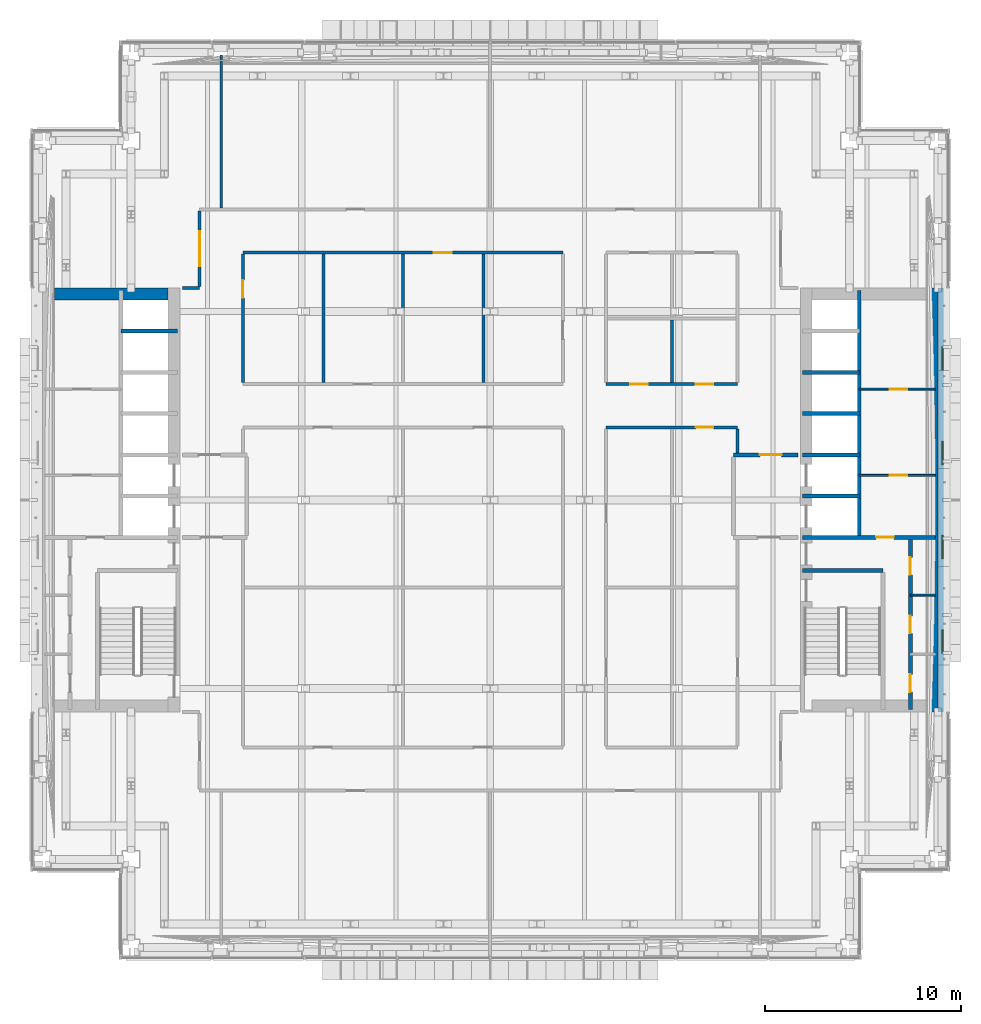
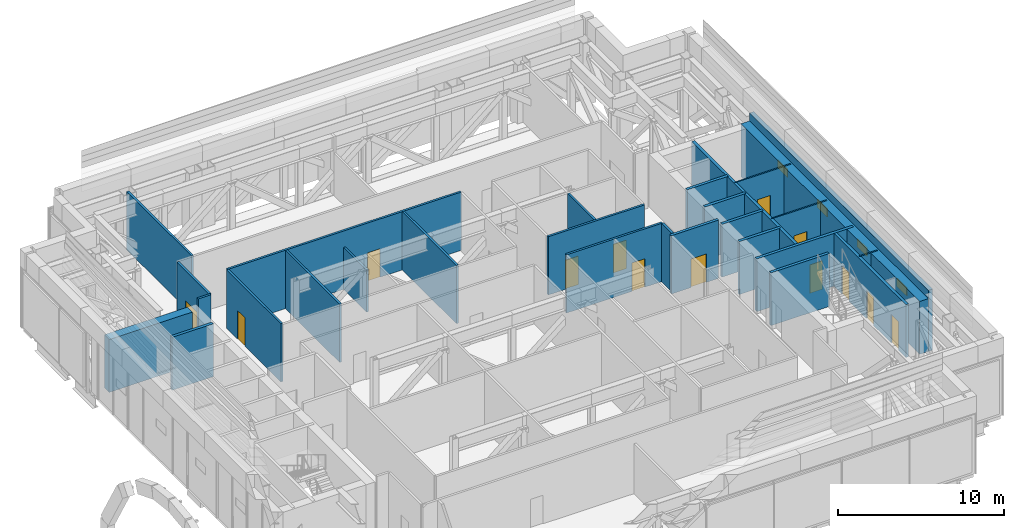
# One storey, part 12 of 38: 28 walls, 13 doors, 4 windows, 17 openings.
"""IFC4 building model written with IfcOpenShell, lengths in metres."""

import ifcopenshell
import ifcopenshell.guid

model = None  # the IFC model being written
_history = None  # IfcOwnerHistory: only IFC2X3 demands one
_inside = {}  # id of a spatial element -> (the spatial element, [elements in it])
_under = {}  # id of a project, library or spatial element -> (it, [spatial elements below it])
_declared = {}  # id of a project -> (the project, [libraries it declares])
_typed = {}  # id of a type object -> (the type object, [elements of that type])
_made_of = {}  # id of a material, layer set ... -> (it, [elements and type objects made of it])


def new_model(schema):
    """Start an empty IFC model of exactly this schema.

    Asked for "IFC4X3", IfcOpenShell would pick the latest addendum, in which some entities
    have other attributes; the version numbers below select the first issue.
    IFC2X3 requires an IfcOwnerHistory on every rooted entity: one is made here for all.
    """
    global model, _history
    if schema == "IFC4X3":
        model = ifcopenshell.file(schema_version=(4, 3, 0, 0))
    else:
        model = ifcopenshell.file(schema=schema)
    _inside.clear()
    _under.clear()
    _declared.clear()
    _typed.clear()
    _made_of.clear()
    _history = None
    if model.schema == "IFC2X3":
        org = make("IfcOrganization", Name="unknown")
        user = make(
            "IfcPersonAndOrganization",
            ThePerson=make("IfcPerson", FamilyName="unknown"),
            TheOrganization=org,
        )
        app = make(
            "IfcApplication",
            ApplicationDeveloper=org,
            Version="unknown",
            ApplicationFullName="unknown",
            ApplicationIdentifier="unknown",
        )
        _history = make(
            "IfcOwnerHistory",
            OwningUser=user,
            OwningApplication=app,
            ChangeAction="ADDED",
            CreationDate=0,
        )
    return model


def make(cls, **values):
    """One entity of the class cls with the attributes given. An attribute that is None is left unset."""
    return model.create_entity(
        cls, **{name: value for name, value in values.items() if value is not None}
    )


def rooted(cls, **values):
    """An entity with a GlobalId (a new one), such as an element, a storey or a relation."""
    return make(cls, GlobalId=ifcopenshell.guid.new(), OwnerHistory=_history, **values)


def si_unit(unit_type, name, prefix=None):
    """IfcSIUnit, for example si_unit("LENGTHUNIT", "METRE", prefix="MILLI")."""
    return make("IfcSIUnit", UnitType=unit_type, Prefix=prefix, Name=name)


def assignment(units):
    """IfcUnitAssignment: the units of a project."""
    return None if units is None else make("IfcUnitAssignment", Units=units)


def point(xyz):
    """IfcCartesianPoint."""
    return None if xyz is None else make("IfcCartesianPoint", Coordinates=xyz)


def direction(xyz):
    """IfcDirection."""
    return None if xyz is None else make("IfcDirection", DirectionRatios=xyz)


def frame(location, z_axis=None, x_axis=None):
    """IfcAxis2Placement3D, a coordinate frame: its origin and axes. An axis left out is left unset."""
    return make(
        "IfcAxis2Placement3D",
        Location=point(location),
        Axis=direction(z_axis),
        RefDirection=direction(x_axis),
    )


def frame_2d(location, x_axis=None):
    """IfcAxis2Placement2D, a coordinate frame in the plane: its origin and x axis."""
    return make(
        "IfcAxis2Placement2D", Location=point(location), RefDirection=direction(x_axis)
    )


def origin():
    """The frame at (0, 0, 0) with its axes left unset."""
    return frame((0.0, 0.0, 0.0))


def place(relative_to, where):
    """IfcLocalPlacement: puts the frame where relative to a parent placement (None: the world)."""
    return make(
        "IfcLocalPlacement", PlacementRelTo=relative_to, RelativePlacement=where
    )


def context(
    kind, dimensions, precision=None, world=None, true_north=None, identifier=None
):
    """IfcGeometricRepresentationContext, for example the 3D "Model" context."""
    return make(
        "IfcGeometricRepresentationContext",
        ContextIdentifier=identifier,
        ContextType=kind,
        CoordinateSpaceDimension=dimensions,
        Precision=precision,
        WorldCoordinateSystem=world,
        TrueNorth=true_north,
    )


def subcontext(parent, identifier, kind, view, scale=None):
    """IfcGeometricRepresentationSubContext, for example "Body" below "Model"."""
    return make(
        "IfcGeometricRepresentationSubContext",
        ContextIdentifier=identifier,
        ContextType=kind,
        ParentContext=parent,
        TargetScale=scale,
        TargetView=view,
    )


def project(units=None, contexts=None):
    """IfcProject with its units and contexts."""
    return rooted(
        "IfcProject",
        Name="project",
        RepresentationContexts=contexts,
        UnitsInContext=assignment(units),
    )


def spatial(cls, under=None, at=None, **own):
    """A site, building, storey or space (cls), placed at a placement, below another one or the project."""
    s = rooted(cls, ObjectPlacement=at, **own)
    if under is not None:
        _under.setdefault(under.id(), (under, []))[1].append(s)
    return s


def profile(cls, at=None, kind="AREA", **sizes):
    """A parametric profile (cls). Its sizes go by their IFC names, for example OverallWidth=200.0."""
    return make(cls, ProfileType=kind, Position=at, **sizes)


def rectangle(**sizes):
    """IfcRectangleProfileDef."""
    return profile("IfcRectangleProfileDef", **sizes)


def extrude(swept, where, along, depth):
    """IfcExtrudedAreaSolid: the profile swept, set in the frame where, extruded along a direction by depth."""
    return make(
        "IfcExtrudedAreaSolid",
        SweptArea=swept,
        Position=where,
        ExtrudedDirection=direction(along),
        Depth=depth,
    )


def shape(context_of_items, identifier, shape_type, items):
    """IfcShapeRepresentation: the items that make up one representation, for example the "Body"."""
    return make(
        "IfcShapeRepresentation",
        ContextOfItems=context_of_items,
        RepresentationIdentifier=identifier,
        RepresentationType=shape_type,
        Items=items,
    )


def material(Name=None, Category=None):
    """IfcMaterial."""
    return make("IfcMaterial", Name=Name, Category=Category)


def layer(
    of_material, thickness, ventilated=None, Name=None, Category=None, Priority=None
):
    """IfcMaterialLayer: one layer of a wall or slab, of a material (None: an air gap)."""
    return make(
        "IfcMaterialLayer",
        Material=of_material,
        LayerThickness=thickness,
        IsVentilated=ventilated,
        Name=Name,
        Category=Category,
        Priority=Priority,
    )


def layer_set(layers, Name=None):
    """IfcMaterialLayerSet."""
    return make("IfcMaterialLayerSet", MaterialLayers=layers, LayerSetName=Name)


def made_of(thing, what):
    """Note that an element or type object is made of a material, layer set ...; save() writes the relation."""
    if what is not None:
        _made_of.setdefault(what.id(), (what, []))[1].append(thing)
    return thing


def type_object(cls, material=None, **own):
    """A type object (cls), such as IfcWallType, which elements share."""
    return made_of(rooted(cls, **own), material)


def element(
    cls,
    number,
    at=None,
    inside=None,
    cuts=None,
    type_object=None,
    material=None,
    context=None,
    identifier="Body",
    shape_type=None,
    held_by="IfcProductDefinitionShape",
    body=None,
    shapes=None,
    **own,
):
    """One element of the class cls, such as IfcWall. Its Tag is "e" and its number.

    at: its placement. inside: the storey or other place that contains it. cuts: it is an
    opening in that element (IfcRelVoidsElement). A single representation is given by context,
    identifier, shape_type and body (its items); several are given by shapes. held_by: the class
    of the entity that holds the representations. save() writes the other relations.
    """
    e = rooted(cls, Tag="e%d" % number, ObjectPlacement=at, **own)
    if body is not None:
        shapes = [shape(context, identifier, shape_type, body)]
    if shapes is not None:
        e.Representation = make(held_by, Representations=shapes)
    if inside is not None:
        _inside.setdefault(inside.id(), (inside, []))[1].append(e)
    if cuts is not None:
        rooted(
            "IfcRelVoidsElement", RelatingBuildingElement=cuts, RelatedOpeningElement=e
        )
    if type_object is not None:
        _typed.setdefault(type_object.id(), (type_object, []))[1].append(e)
    return made_of(e, material)


def fill(opening, filler):
    """IfcRelFillsElement: the door or window that sits in an opening."""
    return rooted(
        "IfcRelFillsElement",
        RelatingOpeningElement=opening,
        RelatedBuildingElement=filler,
    )


def aggregate(whole, parts):
    """IfcRelAggregates: a whole, such as a stair, and the parts it consists of."""
    return rooted("IfcRelAggregates", RelatingObject=whole, RelatedObjects=parts)


def save(model, path):
    """Write the relations noted so far, then the file.

    IfcRelAggregates (storeys below a building ...), IfcRelContainedInSpatialStructure (elements
    in a storey), IfcRelDefinesByType, IfcRelAssociatesMaterial and IfcRelDeclares: one each for
    every whole, place, type object, material and project.
    """
    for whole, parts in _under.values():
        aggregate(whole, parts)
    for where, things in _inside.values():
        rooted(
            "IfcRelContainedInSpatialStructure",
            RelatedElements=things,
            RelatingStructure=where,
        )
    for kind, things in _typed.values():
        rooted("IfcRelDefinesByType", RelatedObjects=things, RelatingType=kind)
    for what, things in _made_of.values():
        rooted("IfcRelAssociatesMaterial", RelatedObjects=things, RelatingMaterial=what)
    for by, libraries in _declared.values():
        rooted("IfcRelDeclares", RelatingContext=by, RelatedDefinitions=libraries)
    model.write(path)


model = new_model("IFC4")

# Units and contexts
model_context = context("Model", 3, precision=1e-05, world=origin(), true_north=direction((0.0, 1.0)))
body_context = subcontext(model_context, "Body", "Model", "MODEL_VIEW")
ifc_project = project(units=[si_unit("LENGTHUNIT", "METRE"), si_unit("AREAUNIT", "SQUARE_METRE"), si_unit("VOLUMEUNIT", "CUBIC_METRE"), si_unit("PLANEANGLEUNIT", "RADIAN"), si_unit("MASSUNIT", "GRAM", prefix="KILO")], contexts=[model_context])

# Site, building, storey
site_placement = place(None, origin())
site = spatial("IfcSite", under=ifc_project, at=site_placement, CompositionType="ELEMENT")
building_placement = place(site_placement, origin())
building = spatial("IfcBuilding", under=site, at=building_placement, Name="Cobrizo Arcos Hotel Tower", CompositionType="ELEMENT")
storey_placement = place(building_placement, frame((0.0, 0.0, 138.0)))
storey = spatial("IfcBuildingStorey", under=building, at=storey_placement, Name="L35", CompositionType="ELEMENT", Elevation=138.0)

# Wall, opening, door
ifc_material_1 = material(Name="Gypsum board partition")
ifc_layer_1 = layer(ifc_material_1, 0.14990234375)
ifc_layer_set_1 = layer_set([ifc_layer_1], Name="Corridor wall EI 60 150")
wall_type_1 = type_object("IfcWallType", Name="Corridor wall EI 60 150", PredefinedType="PARTITIONING", material=ifc_layer_set_1)
wall_1_placement = place(storey_placement, frame((5.89990234375, 3.699951171875, 0.0), z_axis=(0.0, 0.0, 1.0), x_axis=(1.0, 0.0, 0.0)))
wall_1 = element("IfcWall", 1, at=wall_1_placement, inside=storey, type_object=wall_type_1, Name="Partition 027", PredefinedType="PARTITIONING", context=body_context, shape_type="SweptSolid", body=[
    extrude(rectangle(XDim=6.7001953125, YDim=0.14990234375, at=frame_2d((3.35009765625, 0.0))), origin(), (0.0, 0.0, 1.0), 4.300048828125),
])
opening_1_placement = place(wall_1_placement, frame((4.574951171875, 0.0, 0.0)))
opening_1 = element("IfcOpeningElement", 2, at=opening_1_placement, cuts=wall_1, Name="Opening RD-20", PredefinedType="OPENING", context=body_context, shape_type="SweptSolid", body=[
    extrude(rectangle(XDim=0.89990234375, YDim=2.10009765625, at=frame_2d((0.449951171875, 1.050048828125))), frame((0.0, 0.0869140625, 0.0), z_axis=(0.0, -1.0, 0.0), x_axis=(1.0, 0.0, 0.0)), (0.0, 0.0, 1.0), 0.173828125),
])
ifc_material_2 = material(Name="Timber door leaf", Category="wood")
door_type_1 = type_object("IfcDoorType", Name="Room door FD30 900x2100", OperationType="SINGLE_SWING_LEFT", PredefinedType="DOOR", material=ifc_material_2)
door_1_placement = place(opening_1_placement, origin())
door_1 = element("IfcDoor", 3, at=door_1_placement, inside=storey, type_object=door_type_1, Name="Door RD-20", OperationType="SINGLE_SWING_RIGHT", OverallHeight=2.10009765625, OverallWidth=0.89990234375, PredefinedType="DOOR", context=body_context, shape_type="SweptSolid", body=[
    extrude(rectangle(XDim=0.89990234375, YDim=2.10009765625, at=frame_2d((0.449951171875, 1.050048828125))), frame((0.0, 0.02490234375, 0.0), z_axis=(0.0, -1.0, 0.0), x_axis=(1.0, 0.0, 0.0)), (0.0, 0.0, 1.0), 0.050048828125),
])
fill(opening_1, door_1)

# Wall, openings, doors
wall_2_placement = place(storey_placement, frame((5.89990234375, 5.89990234375, 0.0), z_axis=(0.0, 0.0, 1.0), x_axis=(1.0, 0.0, 0.0)))
wall_2 = element("IfcWall", 4, at=wall_2_placement, inside=storey, type_object=wall_type_1, Name="Partition 033", PredefinedType="PARTITIONING", context=body_context, shape_type="SweptSolid", body=[
    extrude(rectangle(XDim=6.7001953125, YDim=0.14990234375, at=frame_2d((3.35009765625, 0.0))), origin(), (0.0, 0.0, 1.0), 4.300048828125),
])
opening_2_placement = place(wall_2_placement, frame((1.22509765625, 0.0, 0.0)))
opening_2 = element("IfcOpeningElement", 5, at=opening_2_placement, cuts=wall_2, Name="Opening RD-21", PredefinedType="OPENING", context=body_context, shape_type="SweptSolid", body=[
    extrude(rectangle(XDim=0.89990234375, YDim=2.10009765625, at=frame_2d((0.449951171875, 1.050048828125))), frame((0.0, 0.0869140625, 0.0), z_axis=(0.0, -1.0, 0.0), x_axis=(1.0, 0.0, 0.0)), (0.0, 0.0, 1.0), 0.173828125),
])
opening_3_placement = place(wall_2_placement, frame((4.574951171875, 0.0, 0.0)))
opening_3 = element("IfcOpeningElement", 6, at=opening_3_placement, cuts=wall_2, Name="Opening RD-23", PredefinedType="OPENING", context=body_context, shape_type="SweptSolid", body=[
    extrude(rectangle(XDim=0.89990234375, YDim=2.10009765625, at=frame_2d((0.449951171875, 1.050048828125))), frame((0.0, 0.0869140625, 0.0), z_axis=(0.0, -1.0, 0.0), x_axis=(1.0, 0.0, 0.0)), (0.0, 0.0, 1.0), 0.173828125),
])
door_2_placement = place(opening_2_placement, origin())
door_2 = element("IfcDoor", 7, at=door_2_placement, inside=storey, type_object=door_type_1, Name="Door RD-21", OperationType="SINGLE_SWING_LEFT", OverallHeight=2.10009765625, OverallWidth=0.89990234375, PredefinedType="DOOR", context=body_context, shape_type="SweptSolid", body=[
    extrude(rectangle(XDim=0.89990234375, YDim=2.10009765625, at=frame_2d((0.449951171875, 1.050048828125))), frame((0.0, 0.02490234375, 0.0), z_axis=(0.0, -1.0, 0.0), x_axis=(1.0, 0.0, 0.0)), (0.0, 0.0, 1.0), 0.050048828125),
])
fill(opening_2, door_2)
door_3_placement = place(opening_3_placement, origin())
door_3 = element("IfcDoor", 8, at=door_3_placement, inside=storey, type_object=door_type_1, Name="Door RD-23", OperationType="SINGLE_SWING_RIGHT", OverallHeight=2.10009765625, OverallWidth=0.89990234375, PredefinedType="DOOR", context=body_context, shape_type="SweptSolid", body=[
    extrude(rectangle(XDim=0.89990234375, YDim=2.10009765625, at=frame_2d((0.449951171875, 1.050048828125))), frame((0.0, 0.02490234375, 0.0), z_axis=(0.0, -1.0, 0.0), x_axis=(1.0, 0.0, 0.0)), (0.0, 0.0, 1.0), 0.050048828125),
])
fill(opening_3, door_3)

# Wall
wall_3_placement = place(storey_placement, frame((-15.679931640625, 10.800048828125, 0.0), z_axis=(0.0, 0.0, 1.0), x_axis=(1.0, 0.0, 0.0)))
element("IfcWall", 9, at=wall_3_placement, inside=storey, type_object=wall_type_1, Name="Partition 039", PredefinedType="PARTITIONING", context=body_context, shape_type="SweptSolid", body=[
    extrude(rectangle(XDim=0.8798828125, YDim=0.14990234375, at=frame_2d((0.43994140625, 0.0))), origin(), (0.0, 0.0, 1.0), 4.300048828125),
])

# Wall, opening, door
wall_4_placement = place(storey_placement, frame((-12.60009765625, 12.60009765625, 0.0), z_axis=(0.0, 0.0, 1.0), x_axis=(1.0, 0.0, 0.0)))
wall_4 = element("IfcWall", 10, at=wall_4_placement, inside=storey, type_object=wall_type_1, Name="Partition 041", PredefinedType="PARTITIONING", context=body_context, shape_type="SweptSolid", body=[
    extrude(rectangle(XDim=16.300048828125, YDim=0.14990234375, at=frame_2d((8.14990234375, 0.0))), origin(), (0.0, 0.0, 1.0), 4.300048828125),
])
opening_4_placement = place(wall_4_placement, frame((9.738037109375, 0.0, 0.0)))
opening_4 = element("IfcOpeningElement", 11, at=opening_4_placement, cuts=wall_4, Name="Opening RD-31", PredefinedType="OPENING", context=body_context, shape_type="SweptSolid", body=[
    extrude(rectangle(XDim=0.89990234375, YDim=2.10009765625, at=frame_2d((0.449951171875, 1.050048828125))), frame((0.0, 0.0869140625, 0.0), z_axis=(0.0, -1.0, 0.0), x_axis=(1.0, 0.0, 0.0)), (0.0, 0.0, 1.0), 0.173828125),
])
door_4_placement = place(opening_4_placement, origin())
door_4 = element("IfcDoor", 12, at=door_4_placement, inside=storey, type_object=door_type_1, Name="Door RD-31", OperationType="SINGLE_SWING_RIGHT", OverallHeight=2.10009765625, OverallWidth=0.89990234375, PredefinedType="DOOR", context=body_context, shape_type="SweptSolid", body=[
    extrude(rectangle(XDim=0.89990234375, YDim=2.10009765625, at=frame_2d((0.449951171875, 1.050048828125))), frame((0.0, 0.02490234375, 0.0), z_axis=(0.0, -1.0, 0.0), x_axis=(1.0, 0.0, 0.0)), (0.0, 0.0, 1.0), 0.050048828125),
])
fill(opening_4, door_4)

wall_5_placement = place(storey_placement, frame((-14.800048828125, 10.875, 0.0), z_axis=(0.0, 0.0, 1.0), x_axis=(0.0, 1.0, 0.0)))
wall_5 = element("IfcWall", 13, at=wall_5_placement, inside=storey, type_object=wall_type_1, Name="Partition 048", PredefinedType="PARTITIONING", context=body_context, shape_type="SweptSolid", body=[
    extrude(rectangle(XDim=3.85009765625, YDim=0.14990234375, at=frame_2d((1.925048828125, 0.0))), origin(), (0.0, 0.0, 1.0), 4.300048828125),
])
opening_5_placement = place(wall_5_placement, frame((1.02490234375, 0.0, 0.0)))
opening_5 = element("IfcOpeningElement", 14, at=opening_5_placement, cuts=wall_5, Name="Opening DD-01", PredefinedType="OPENING", context=body_context, shape_type="SweptSolid", body=[
    extrude(rectangle(XDim=1.800048828125, YDim=2.10009765625, at=frame_2d((0.89990234375, 1.050048828125))), frame((0.0, 0.0869140625, 0.0), z_axis=(0.0, -1.0, 0.0), x_axis=(1.0, 0.0, 0.0)), (0.0, 0.0, 1.0), 0.173828125),
])
door_type_2 = type_object("IfcDoorType", Name="Double door FD30 1800x2100", OperationType="DOUBLE_DOOR_SINGLE_SWING", PredefinedType="DOOR", material=ifc_material_2)
door_5_placement = place(opening_5_placement, origin())
door_5 = element("IfcDoor", 15, at=door_5_placement, inside=storey, type_object=door_type_2, Name="Door DD-01", OperationType="DOUBLE_DOOR_SINGLE_SWING", OverallHeight=2.10009765625, OverallWidth=1.800048828125, PredefinedType="DOOR", context=body_context, shape_type="SweptSolid", body=[
    extrude(rectangle(XDim=1.800048828125, YDim=2.10009765625, at=frame_2d((0.89990234375, 1.050048828125))), frame((0.0, 0.02490234375, 0.0), z_axis=(0.0, -1.0, 0.0), x_axis=(1.0, 0.0, 0.0)), (0.0, 0.0, 1.0), 0.050048828125),
])
fill(opening_5, door_5)

# Wall
wall_6_placement = place(storey_placement, frame((-13.699951171875, 14.875, 0.0), z_axis=(0.0, 0.0, 1.0), x_axis=(0.0, 1.0, 0.0)))
element("IfcWall", 16, at=wall_6_placement, inside=storey, type_object=wall_type_1, Name="Partition 050", PredefinedType="PARTITIONING", context=body_context, shape_type="SweptSolid", body=[
    extrude(rectangle(XDim=7.804931640625, YDim=0.14990234375, at=frame_2d((3.90234375, 0.0))), origin(), (0.0, 0.0, 1.0), 4.300048828125),
])

# Wall, opening, door
wall_7_placement = place(storey_placement, frame((-12.60009765625, 5.97509765625, 0.0), z_axis=(0.0, 0.0, 1.0), x_axis=(0.0, 1.0, 0.0)))
wall_7 = element("IfcWall", 17, at=wall_7_placement, inside=storey, type_object=wall_type_1, Name="Partition 053", PredefinedType="PARTITIONING", context=body_context, shape_type="SweptSolid", body=[
    extrude(rectangle(XDim=6.5498046875, YDim=0.14990234375, at=frame_2d((3.27490234375, 0.0))), origin(), (0.0, 0.0, 1.0), 4.300048828125),
])
opening_6_placement = place(wall_7_placement, frame((4.324951171875, 0.0, 0.0)))
opening_6 = element("IfcOpeningElement", 18, at=opening_6_placement, cuts=wall_7, Name="Opening RD-29", PredefinedType="OPENING", context=body_context, shape_type="SweptSolid", body=[
    extrude(rectangle(XDim=0.89990234375, YDim=2.10009765625, at=frame_2d((0.449951171875, 1.050048828125))), frame((0.0, 0.0869140625, 0.0), z_axis=(0.0, -1.0, 0.0), x_axis=(1.0, 0.0, 0.0)), (0.0, 0.0, 1.0), 0.173828125),
])
door_6_placement = place(opening_6_placement, origin())
door_6 = element("IfcDoor", 19, at=door_6_placement, inside=storey, type_object=door_type_1, Name="Door RD-29", OperationType="SINGLE_SWING_LEFT", OverallHeight=2.10009765625, OverallWidth=0.89990234375, PredefinedType="DOOR", context=body_context, shape_type="SweptSolid", body=[
    extrude(rectangle(XDim=0.89990234375, YDim=2.10009765625, at=frame_2d((0.449951171875, 1.050048828125))), frame((0.0, 0.02490234375, 0.0), z_axis=(0.0, -1.0, 0.0), x_axis=(1.0, 0.0, 0.0)), (0.0, 0.0, 1.0), 0.050048828125),
])
fill(opening_6, door_6)

# Walls
wall_8_placement = place(storey_placement, frame((-8.5, 5.97509765625, 0.0), z_axis=(0.0, 0.0, 1.0), x_axis=(0.0, 1.0, 0.0)))
element("IfcWall", 20, at=wall_8_placement, inside=storey, type_object=wall_type_1, Name="Partition 055", PredefinedType="PARTITIONING", context=body_context, shape_type="SweptSolid", body=[
    extrude(rectangle(XDim=6.5498046875, YDim=0.14990234375, at=frame_2d((3.27490234375, 0.0))), origin(), (0.0, 0.0, 1.0), 4.300048828125),
])
wall_9_placement = place(storey_placement, frame((-4.449951171875, 9.75, 0.0), z_axis=(0.0, 0.0, 1.0), x_axis=(0.0, 1.0, 0.0)))
element("IfcWall", 21, at=wall_9_placement, inside=storey, type_object=wall_type_1, Name="Partition 059", PredefinedType="PARTITIONING", context=body_context, shape_type="SweptSolid", body=[
    extrude(rectangle(XDim=2.77490234375, YDim=0.14990234375, at=frame_2d((1.387451171875, 0.0))), origin(), (0.0, 0.0, 1.0), 3.10009765625),
])
wall_10_placement = place(storey_placement, frame((-0.35009765625, 5.97509765625, 0.0), z_axis=(0.0, 0.0, 1.0), x_axis=(0.0, 1.0, 0.0)))
element("IfcWall", 22, at=wall_10_placement, inside=storey, type_object=wall_type_1, Name="Partition 060", PredefinedType="PARTITIONING", context=body_context, shape_type="SweptSolid", body=[
    extrude(rectangle(XDim=6.5498046875, YDim=0.14990234375, at=frame_2d((3.27490234375, 0.0))), origin(), (0.0, 0.0, 1.0), 4.300048828125),
])
wall_11_placement = place(storey_placement, frame((9.25, 5.97509765625, 0.0), z_axis=(0.0, 0.0, 1.0), x_axis=(0.0, 1.0, 0.0)))
element("IfcWall", 23, at=wall_11_placement, inside=storey, type_object=wall_type_1, Name="Partition 072", PredefinedType="PARTITIONING", context=body_context, shape_type="SweptSolid", body=[
    extrude(rectangle(XDim=3.199951171875, YDim=0.14990234375, at=frame_2d((1.60009765625, 0.0))), origin(), (0.0, 0.0, 1.0), 4.300048828125),
])
wall_12_placement = place(storey_placement, frame((12.60009765625, 2.39990234375, 0.0), z_axis=(0.0, 0.0, 1.0), x_axis=(0.0, 1.0, 0.0)))
element("IfcWall", 24, at=wall_12_placement, inside=storey, type_object=wall_type_1, Name="Partition 076", PredefinedType="PARTITIONING", context=body_context, shape_type="SweptSolid", body=[
    extrude(rectangle(XDim=1.22509765625, YDim=0.14990234375, at=frame_2d((0.612548828125, 0.0))), origin(), (0.0, 0.0, 1.0), 4.300048828125),
])

# Wall, openings, windows
ifc_material_3 = material(Name="Aluminium composite panel pale metal", Category="aluminium")
ifc_layer_2 = layer(ifc_material_3, 0.300048828125)
ifc_layer_set_2 = layer_set([ifc_layer_2], Name="EW-1 insulated panel wall 300")
wall_type_2 = type_object("IfcWallType", Name="EW-1 insulated panel wall 300", PredefinedType="SOLIDWALL", material=ifc_layer_set_2)
wall_13_placement = place(storey_placement, frame((22.949951171875, -10.800048828125, 0.0), z_axis=(0.0, 0.0, 1.0), x_axis=(0.0, 1.0, 0.0)))
wall_13 = element("IfcWall", 25, at=wall_13_placement, inside=storey, type_object=wall_type_2, Name="Core face wall L35 E", PredefinedType="SOLIDWALL", context=body_context, shape_type="SweptSolid", body=[
    extrude(rectangle(XDim=21.60009765625, YDim=0.300048828125, at=frame_2d((10.800048828125, 0.0))), origin(), (0.0, 0.0, 1.0), 4.5),
])
opening_7_placement = place(wall_13_placement, frame((3.0, 0.0, 2.199951171875)))
opening_7 = element("IfcOpeningElement", 26, at=opening_7_placement, cuts=wall_13, Name="Opening W-71", PredefinedType="OPENING", context=body_context, shape_type="SweptSolid", body=[
    extrude(rectangle(XDim=1.199951171875, YDim=0.60009765625, at=frame_2d((0.60009765625, 0.300048828125))), frame((0.0, 0.162109375, 0.0), z_axis=(0.0, -1.0, 0.0), x_axis=(1.0, 0.0, 0.0)), (0.0, 0.0, 1.0), 0.323974609375),
])
opening_8_placement = place(wall_13_placement, frame((7.800048828125, 0.0, 2.199951171875)))
opening_8 = element("IfcOpeningElement", 27, at=opening_8_placement, cuts=wall_13, Name="Opening W-72", PredefinedType="OPENING", context=body_context, shape_type="SweptSolid", body=[
    extrude(rectangle(XDim=1.199951171875, YDim=0.60009765625, at=frame_2d((0.60009765625, 0.300048828125))), frame((0.0, 0.162109375, 0.0), z_axis=(0.0, -1.0, 0.0), x_axis=(1.0, 0.0, 0.0)), (0.0, 0.0, 1.0), 0.323974609375),
])
opening_9_placement = place(wall_13_placement, frame((12.60009765625, 0.0, 2.199951171875)))
opening_9 = element("IfcOpeningElement", 28, at=opening_9_placement, cuts=wall_13, Name="Opening W-73", PredefinedType="OPENING", context=body_context, shape_type="SweptSolid", body=[
    extrude(rectangle(XDim=1.199951171875, YDim=0.60009765625, at=frame_2d((0.60009765625, 0.300048828125))), frame((0.0, 0.162109375, 0.0), z_axis=(0.0, -1.0, 0.0), x_axis=(1.0, 0.0, 0.0)), (0.0, 0.0, 1.0), 0.323974609375),
])
opening_10_placement = place(wall_13_placement, frame((17.39990234375, 0.0, 2.199951171875)))
opening_10 = element("IfcOpeningElement", 29, at=opening_10_placement, cuts=wall_13, Name="Opening W-74", PredefinedType="OPENING", context=body_context, shape_type="SweptSolid", body=[
    extrude(rectangle(XDim=1.199951171875, YDim=0.60009765625, at=frame_2d((0.60009765625, 0.300048828125))), frame((0.0, 0.162109375, 0.0), z_axis=(0.0, -1.0, 0.0), x_axis=(1.0, 0.0, 0.0)), (0.0, 0.0, 1.0), 0.323974609375),
])
ifc_material_4 = material(Name="Aluminium 6063-T6 and clear laminated glass", Category="aluminium")
window_type = type_object("IfcWindowType", Name="W-S1 plant smoke-vent window 1200x600", PartitioningType="SINGLE_PANEL", PredefinedType="WINDOW", material=ifc_material_4)
window_1_placement = place(opening_7_placement, origin())
window_1 = element("IfcWindow", 30, at=window_1_placement, inside=storey, type_object=window_type, Name="Core face wall L35 E window W-71", OverallHeight=0.60009765625, OverallWidth=1.199951171875, PartitioningType="SINGLE_PANEL", PredefinedType="WINDOW", context=body_context, shape_type="SweptSolid", body=[
    extrude(rectangle(XDim=1.199951171875, YDim=0.60009765625, at=frame_2d((0.60009765625, 0.300048828125))), frame((0.0, -0.06005859375, 0.0), z_axis=(0.0, -1.0, 0.0), x_axis=(1.0, 0.0, 0.0)), (0.0, 0.0, 1.0), 0.06005859375),
])
fill(opening_7, window_1)
window_2_placement = place(opening_8_placement, origin())
window_2 = element("IfcWindow", 31, at=window_2_placement, inside=storey, type_object=window_type, Name="Core face wall L35 E window W-72", OverallHeight=0.60009765625, OverallWidth=1.199951171875, PartitioningType="SINGLE_PANEL", PredefinedType="WINDOW", context=body_context, shape_type="SweptSolid", body=[
    extrude(rectangle(XDim=1.199951171875, YDim=0.60009765625, at=frame_2d((0.60009765625, 0.300048828125))), frame((0.0, -0.06005859375, 0.0), z_axis=(0.0, -1.0, 0.0), x_axis=(1.0, 0.0, 0.0)), (0.0, 0.0, 1.0), 0.06005859375),
])
fill(opening_8, window_2)
window_3_placement = place(opening_9_placement, origin())
window_3 = element("IfcWindow", 32, at=window_3_placement, inside=storey, type_object=window_type, Name="Core face wall L35 E window W-73", OverallHeight=0.60009765625, OverallWidth=1.199951171875, PartitioningType="SINGLE_PANEL", PredefinedType="WINDOW", context=body_context, shape_type="SweptSolid", body=[
    extrude(rectangle(XDim=1.199951171875, YDim=0.60009765625, at=frame_2d((0.60009765625, 0.300048828125))), frame((0.0, -0.06005859375, 0.0), z_axis=(0.0, -1.0, 0.0), x_axis=(1.0, 0.0, 0.0)), (0.0, 0.0, 1.0), 0.06005859375),
])
fill(opening_9, window_3)
window_4_placement = place(opening_10_placement, origin())
window_4 = element("IfcWindow", 33, at=window_4_placement, inside=storey, type_object=window_type, Name="Core face wall L35 E window W-74", OverallHeight=0.60009765625, OverallWidth=1.199951171875, PartitioningType="SINGLE_PANEL", PredefinedType="WINDOW", context=body_context, shape_type="SweptSolid", body=[
    extrude(rectangle(XDim=1.199951171875, YDim=0.60009765625, at=frame_2d((0.60009765625, 0.300048828125))), frame((0.0, -0.06005859375, 0.0), z_axis=(0.0, -1.0, 0.0), x_axis=(1.0, 0.0, 0.0)), (0.0, 0.0, 1.0), 0.06005859375),
])
fill(opening_10, window_4)

# Wall
ifc_layer_3 = layer(ifc_material_1, 0.10009765625)
ifc_layer_set_3 = layer_set([ifc_layer_3], Name="Partition EI 30 100")
wall_type_3 = type_object("IfcWallType", Name="Partition EI 30 100", PredefinedType="PARTITIONING", material=ifc_layer_set_3)
wall_14_placement = place(storey_placement, frame((21.39990234375, -4.85009765625, 0.0), z_axis=(0.0, 0.0, 1.0), x_axis=(1.0, 0.0, 0.0)))
element("IfcWall", 34, at=wall_14_placement, inside=storey, type_object=wall_type_3, Name="Partition 009", PredefinedType="PARTITIONING", context=body_context, shape_type="SweptSolid", body=[
    extrude(rectangle(XDim=1.280029296875, YDim=0.10009765625, at=frame_2d((0.64013671875, 0.0))), origin(), (0.0, 0.0, 1.0), 3.89990234375),
])

# Wall, opening, door
wall_15_placement = place(storey_placement, frame((18.800048828125, 1.25, 0.0), z_axis=(0.0, 0.0, 1.0), x_axis=(1.0, 0.0, 0.0)))
wall_15 = element("IfcWall", 35, at=wall_15_placement, inside=storey, type_object=wall_type_3, Name="Partition 021", PredefinedType="PARTITIONING", context=body_context, shape_type="SweptSolid", body=[
    extrude(rectangle(XDim=3.8798828125, YDim=0.10009765625, at=frame_2d((1.93994140625, 0.0))), origin(), (0.0, 0.0, 1.0), 3.89990234375),
])
opening_11_placement = place(wall_15_placement, frame((1.550048828125, 0.0, 0.0)))
opening_11 = element("IfcOpeningElement", 36, at=opening_11_placement, cuts=wall_15, Name="Opening RD-09", PredefinedType="OPENING", context=body_context, shape_type="SweptSolid", body=[
    extrude(rectangle(XDim=0.89990234375, YDim=2.10009765625, at=frame_2d((0.449951171875, 1.050048828125))), frame((0.0, 0.06201171875, 0.0), z_axis=(0.0, -1.0, 0.0), x_axis=(1.0, 0.0, 0.0)), (0.0, 0.0, 1.0), 0.1240234375),
])
door_7_placement = place(opening_11_placement, origin())
door_7 = element("IfcDoor", 37, at=door_7_placement, inside=storey, type_object=door_type_1, Name="Door RD-09", OperationType="SINGLE_SWING_RIGHT", OverallHeight=2.10009765625, OverallWidth=0.89990234375, PredefinedType="DOOR", context=body_context, shape_type="SweptSolid", body=[
    extrude(rectangle(XDim=0.89990234375, YDim=2.10009765625, at=frame_2d((0.449951171875, 1.050048828125))), frame((0.0, 0.02490234375, 0.0), z_axis=(0.0, -1.0, 0.0), x_axis=(1.0, 0.0, 0.0)), (0.0, 0.0, 1.0), 0.050048828125),
])
fill(opening_11, door_7)

wall_16_placement = place(storey_placement, frame((18.800048828125, 5.64990234375, 0.0), z_axis=(0.0, 0.0, 1.0), x_axis=(1.0, 0.0, 0.0)))
wall_16 = element("IfcWall", 38, at=wall_16_placement, inside=storey, type_object=wall_type_3, Name="Partition 031", PredefinedType="PARTITIONING", context=body_context, shape_type="SweptSolid", body=[
    extrude(rectangle(XDim=3.8798828125, YDim=0.10009765625, at=frame_2d((1.93994140625, 0.0))), origin(), (0.0, 0.0, 1.0), 3.89990234375),
])
opening_12_placement = place(wall_16_placement, frame((1.550048828125, 0.0, 0.0)))
opening_12 = element("IfcOpeningElement", 39, at=opening_12_placement, cuts=wall_16, Name="Opening RD-10", PredefinedType="OPENING", context=body_context, shape_type="SweptSolid", body=[
    extrude(rectangle(XDim=0.89990234375, YDim=2.10009765625, at=frame_2d((0.449951171875, 1.050048828125))), frame((0.0, 0.06201171875, 0.0), z_axis=(0.0, -1.0, 0.0), x_axis=(1.0, 0.0, 0.0)), (0.0, 0.0, 1.0), 0.1240234375),
])
door_8_placement = place(opening_12_placement, origin())
door_8 = element("IfcDoor", 40, at=door_8_placement, inside=storey, type_object=door_type_1, Name="Door RD-10", OperationType="SINGLE_SWING_LEFT", OverallHeight=2.10009765625, OverallWidth=0.89990234375, PredefinedType="DOOR", context=body_context, shape_type="SweptSolid", body=[
    extrude(rectangle(XDim=0.89990234375, YDim=2.10009765625, at=frame_2d((0.449951171875, 1.050048828125))), frame((0.0, 0.02490234375, 0.0), z_axis=(0.0, -1.0, 0.0), x_axis=(1.0, 0.0, 0.0)), (0.0, 0.0, 1.0), 0.050048828125),
])
fill(opening_12, door_8)

# Walls
ifc_material_5 = material(Name="Concrete f'c 50 MPa", Category="concrete")
ifc_layer_4 = layer(ifc_material_5, 0.60009765625)
ifc_layer_set_4 = layer_set([ifc_layer_4], Name="RC core wall 600 f'c 50")
wall_type_4 = type_object("IfcWallType", Name="RC core wall 600 f'c 50", PredefinedType="SHEAR", material=ifc_layer_set_4)
wall_17_placement = place(storey_placement, frame((22.5, -10.800048828125, 0.0), z_axis=(0.0, 0.0, 1.0), x_axis=(0.0, 1.0, 0.0)))
element("IfcWall", 41, at=wall_17_placement, inside=storey, type_object=wall_type_4, Name="Core wall CW2, east core, outer face, L35", PredefinedType="SHEAR", context=body_context, shape_type="SweptSolid", body=[
    extrude(rectangle(XDim=21.60009765625, YDim=0.60009765625, at=frame_2d((10.800048828125, 0.0))), origin(), (0.0, 0.0, 1.0), 3.89990234375),
])
wall_18_placement = place(storey_placement, frame((-22.199951171875, 10.5, 0.0), z_axis=(0.0, 0.0, 1.0), x_axis=(1.0, 0.0, 0.0)))
element("IfcWall", 42, at=wall_18_placement, inside=storey, type_object=wall_type_4, Name="Core wall CW2, west core, north end, L35", PredefinedType="SHEAR", context=body_context, shape_type="SweptSolid", body=[
    extrude(rectangle(XDim=5.800048828125, YDim=0.60009765625, at=frame_2d((2.89990234375, 0.0))), origin(), (0.0, 0.0, 1.0), 3.89990234375),
])

# Wall, opening, door
ifc_layer_5 = layer(ifc_material_1, 0.199951171875)
ifc_layer_set_5 = layer_set([ifc_layer_5], Name="Shaft wall EI 120 200")
wall_type_5 = type_object("IfcWallType", Name="Shaft wall EI 120 200", PredefinedType="PARTITIONING", material=ifc_layer_set_5)
wall_19_placement = place(storey_placement, frame((15.919921875, -1.89990234375, 0.0), z_axis=(0.0, 0.0, 1.0), x_axis=(1.0, 0.0, 0.0)))
wall_19 = element("IfcWall", 43, at=wall_19_placement, inside=storey, type_object=wall_type_5, Name="Partition 017", PredefinedType="PARTITIONING", context=body_context, shape_type="SweptSolid", body=[
    extrude(rectangle(XDim=6.760009765625, YDim=0.199951171875, at=frame_2d((3.3798828125, 0.0))), origin(), (0.0, 0.0, 1.0), 3.89990234375),
])
opening_13_placement = place(wall_19_placement, frame((3.739990234375, 0.0, 0.0)))
opening_13 = element("IfcOpeningElement", 44, at=opening_13_placement, cuts=wall_19, Name="Opening RD-08", PredefinedType="OPENING", context=body_context, shape_type="SweptSolid", body=[
    extrude(rectangle(XDim=0.89990234375, YDim=2.10009765625, at=frame_2d((0.449951171875, 1.050048828125))), frame((0.0, 0.112060546875, 0.0), z_axis=(0.0, -1.0, 0.0), x_axis=(1.0, 0.0, 0.0)), (0.0, 0.0, 1.0), 0.223876953125),
])
door_9_placement = place(opening_13_placement, origin())
door_9 = element("IfcDoor", 45, at=door_9_placement, inside=storey, type_object=door_type_1, Name="Door RD-08", OperationType="SINGLE_SWING_LEFT", OverallHeight=2.10009765625, OverallWidth=0.89990234375, PredefinedType="DOOR", context=body_context, shape_type="SweptSolid", body=[
    extrude(rectangle(XDim=0.89990234375, YDim=2.10009765625, at=frame_2d((0.449951171875, 1.050048828125))), frame((0.0, 0.02490234375, 0.0), z_axis=(0.0, -1.0, 0.0), x_axis=(1.0, 0.0, 0.0)), (0.0, 0.0, 1.0), 0.050048828125),
])
fill(opening_13, door_9)

# Wall
wall_20_placement = place(storey_placement, frame((15.919921875, 0.199951171875, 0.0), z_axis=(0.0, 0.0, 1.0), x_axis=(1.0, 0.0, 0.0)))
element("IfcWall", 46, at=wall_20_placement, inside=storey, type_object=wall_type_5, Name="Partition 019", PredefinedType="PARTITIONING", context=body_context, shape_type="SweptSolid", body=[
    extrude(rectangle(XDim=2.880126953125, YDim=0.199951171875, at=frame_2d((1.43994140625, 0.0))), origin(), (0.0, 0.0, 1.0), 3.89990234375),
])

# Wall, opening, door
wall_21_placement = place(storey_placement, frame((12.39990234375, 2.300048828125, 0.0), z_axis=(0.0, 0.0, 1.0), x_axis=(1.0, 0.0, 0.0)))
wall_21 = element("IfcWall", 47, at=wall_21_placement, inside=storey, type_object=wall_type_5, Name="Partition 024", PredefinedType="PARTITIONING", context=body_context, shape_type="SweptSolid", body=[
    extrude(rectangle(XDim=3.280029296875, YDim=0.199951171875, at=frame_2d((1.64013671875, 0.0))), origin(), (0.0, 0.0, 1.0), 4.300048828125),
])
opening_14_placement = place(wall_21_placement, frame((1.340087890625, 0.0, 0.0)))
opening_14 = element("IfcOpeningElement", 48, at=opening_14_placement, cuts=wall_21, Name="Opening FD-06", PredefinedType="OPENING", context=body_context, shape_type="SweptSolid", body=[
    extrude(rectangle(XDim=1.10009765625, YDim=2.10009765625, at=frame_2d((0.550048828125, 1.050048828125))), frame((0.0, 0.112060546875, 0.0), z_axis=(0.0, -1.0, 0.0), x_axis=(1.0, 0.0, 0.0)), (0.0, 0.0, 1.0), 0.223876953125),
])
ifc_material_6 = material(Name="Steel door leaf", Category="steel")
door_type_3 = type_object("IfcDoorType", Name="Fire door FD60 1100x2100", OperationType="SINGLE_SWING_LEFT", PredefinedType="DOOR", material=ifc_material_6)
door_10_placement = place(opening_14_placement, origin())
door_10 = element("IfcDoor", 49, at=door_10_placement, inside=storey, type_object=door_type_3, Name="Door FD-06", OperationType="SINGLE_SWING_RIGHT", OverallHeight=2.10009765625, OverallWidth=1.10009765625, PredefinedType="DOOR", context=body_context, shape_type="SweptSolid", body=[
    extrude(rectangle(XDim=1.10009765625, YDim=2.10009765625, at=frame_2d((0.550048828125, 1.050048828125))), frame((0.0, 0.02490234375, 0.0), z_axis=(0.0, -1.0, 0.0), x_axis=(1.0, 0.0, 0.0)), (0.0, 0.0, 1.0), 0.050048828125),
])
fill(opening_14, door_10)

# Walls
for number, where, z_axis, x_axis, name in (
    (50, (15.919921875, 2.300048828125, 0.0), (0.0, 0.0, 1.0), (1.0, 0.0, 0.0), "Partition 025"),
    (51, (15.919921875, 4.39990234375, 0.0), (0.0, 0.0, 1.0), (1.0, 0.0, 0.0), "Partition 029"),
    (52, (15.919921875, 6.5, 0.0), (0.0, 0.0, 1.0), (1.0, 0.0, 0.0), "Partition 035"),
    (53, (-18.800048828125, 8.60009765625, 0.0), (0.0, 0.0, 1.0), (1.0, 0.0, 0.0), "Partition 036"),
):
    element("IfcWall", number, at=place(storey_placement, frame(where, z_axis=z_axis, x_axis=x_axis)), inside=storey, type_object=wall_type_5, Name=name, PredefinedType="PARTITIONING", context=body_context, shape_type="SweptSolid", body=[
        extrude(rectangle(XDim=2.880126953125, YDim=0.199951171875, at=frame_2d((1.43994140625, 0.0))), origin(), (0.0, 0.0, 1.0), 3.89990234375),
    ])
wall_22_placement = place(storey_placement, frame((18.800048828125, -1.800048828125, 0.0), z_axis=(0.0, 0.0, 1.0), x_axis=(0.0, 1.0, 0.0)))
element("IfcWall", 54, at=wall_22_placement, inside=storey, type_object=wall_type_5, Name="Partition 082", PredefinedType="PARTITIONING", context=body_context, shape_type="SweptSolid", body=[
    extrude(rectangle(XDim=12.47998046875, YDim=0.199951171875, at=frame_2d((6.239990234375, 0.0))), origin(), (0.0, 0.0, 1.0), 3.89990234375),
])

# Wall, openings, doors
wall_23_placement = place(storey_placement, frame((21.39990234375, -10.679931640625, 0.0), z_axis=(0.0, 0.0, 1.0), x_axis=(0.0, 1.0, 0.0)))
wall_23 = element("IfcWall", 55, at=wall_23_placement, inside=storey, type_object=wall_type_5, Name="Partition 084", PredefinedType="PARTITIONING", context=body_context, shape_type="SweptSolid", body=[
    extrude(rectangle(XDim=8.679931640625, YDim=0.199951171875, at=frame_2d((4.33984375, 0.0))), origin(), (0.0, 0.0, 1.0), 3.89990234375),
])
opening_15_placement = place(wall_23_placement, frame((0.89892578125, 0.0, 0.0)))
opening_15 = element("IfcOpeningElement", 56, at=opening_15_placement, cuts=wall_23, Name="Opening RD-06", PredefinedType="OPENING", context=body_context, shape_type="SweptSolid", body=[
    extrude(rectangle(XDim=0.89990234375, YDim=2.10009765625, at=frame_2d((0.449951171875, 1.050048828125))), frame((0.0, 0.112060546875, 0.0), z_axis=(0.0, -1.0, 0.0), x_axis=(1.0, 0.0, 0.0)), (0.0, 0.0, 1.0), 0.223876953125),
])
opening_16_placement = place(wall_23_placement, frame((3.8798828125, 0.0, 0.0)))
opening_16 = element("IfcOpeningElement", 57, at=opening_16_placement, cuts=wall_23, Name="Opening ED-02", PredefinedType="OPENING", context=body_context, shape_type="SweptSolid", body=[
    extrude(rectangle(XDim=0.89990234375, YDim=2.10009765625, at=frame_2d((0.449951171875, 1.050048828125))), frame((0.0, 0.112060546875, 0.0), z_axis=(0.0, -1.0, 0.0), x_axis=(1.0, 0.0, 0.0)), (0.0, 0.0, 1.0), 0.223876953125),
])
opening_17_placement = place(wall_23_placement, frame((6.862060546875, 0.0, 0.0)))
opening_17 = element("IfcOpeningElement", 58, at=opening_17_placement, cuts=wall_23, Name="Opening RD-07", PredefinedType="OPENING", context=body_context, shape_type="SweptSolid", body=[
    extrude(rectangle(XDim=0.89990234375, YDim=2.10009765625, at=frame_2d((0.449951171875, 1.050048828125))), frame((0.0, 0.112060546875, 0.0), z_axis=(0.0, -1.0, 0.0), x_axis=(1.0, 0.0, 0.0)), (0.0, 0.0, 1.0), 0.223876953125),
])
door_type_4 = type_object("IfcDoorType", Name="En-suite door 900x2100", OperationType="SINGLE_SWING_LEFT", PredefinedType="DOOR", material=ifc_material_2)
door_11_placement = place(opening_16_placement, origin())
door_11 = element("IfcDoor", 59, at=door_11_placement, inside=storey, type_object=door_type_4, Name="Door ED-02", OperationType="SINGLE_SWING_LEFT", OverallHeight=2.10009765625, OverallWidth=0.89990234375, PredefinedType="DOOR", context=body_context, shape_type="SweptSolid", body=[
    extrude(rectangle(XDim=0.89990234375, YDim=2.10009765625, at=frame_2d((0.449951171875, 1.050048828125))), frame((0.0, 0.02490234375, 0.0), z_axis=(0.0, -1.0, 0.0), x_axis=(1.0, 0.0, 0.0)), (0.0, 0.0, 1.0), 0.050048828125),
])
fill(opening_16, door_11)
door_12_placement = place(opening_15_placement, origin())
door_12 = element("IfcDoor", 60, at=door_12_placement, inside=storey, type_object=door_type_1, Name="Door RD-06", OperationType="SINGLE_SWING_RIGHT", OverallHeight=2.10009765625, OverallWidth=0.89990234375, PredefinedType="DOOR", context=body_context, shape_type="SweptSolid", body=[
    extrude(rectangle(XDim=0.89990234375, YDim=2.10009765625, at=frame_2d((0.449951171875, 1.050048828125))), frame((0.0, 0.02490234375, 0.0), z_axis=(0.0, -1.0, 0.0), x_axis=(1.0, 0.0, 0.0)), (0.0, 0.0, 1.0), 0.050048828125),
])
fill(opening_15, door_12)
door_13_placement = place(opening_17_placement, origin())
door_13 = element("IfcDoor", 61, at=door_13_placement, inside=storey, type_object=door_type_1, Name="Door RD-07", OperationType="SINGLE_SWING_LEFT", OverallHeight=2.10009765625, OverallWidth=0.89990234375, PredefinedType="DOOR", context=body_context, shape_type="SweptSolid", body=[
    extrude(rectangle(XDim=0.89990234375, YDim=2.10009765625, at=frame_2d((0.449951171875, 1.050048828125))), frame((0.0, 0.02490234375, 0.0), z_axis=(0.0, -1.0, 0.0), x_axis=(1.0, 0.0, 0.0)), (0.0, 0.0, 1.0), 0.050048828125),
])
fill(opening_17, door_13)

# Wall
ifc_material_7 = material(Name="Concrete f'c 40 MPa", Category="concrete")
ifc_layer_6 = layer(ifc_material_7, 0.199951171875)
ifc_layer_set_6 = layer_set([ifc_layer_6], Name="Stair shaft wall 200")
wall_type_6 = type_object("IfcWallType", Name="Stair shaft wall 200", PredefinedType="SHEAR", material=ifc_layer_set_6)
wall_24_placement = place(storey_placement, frame((15.919921875, -3.60009765625, 0.0), z_axis=(0.0, 0.0, 1.0), x_axis=(1.0, 0.0, 0.0)))
element("IfcWall", 62, at=wall_24_placement, inside=storey, type_object=wall_type_6, Name="Stair shaft wall E", PredefinedType="SHEAR", context=body_context, shape_type="SweptSolid", body=[
    extrude(rectangle(XDim=4.080078125, YDim=0.199951171875, at=frame_2d((2.0400390625, 0.0))), origin(), (0.0, 0.0, 1.0), 3.89990234375),
])

save(model, "model.ifc")
